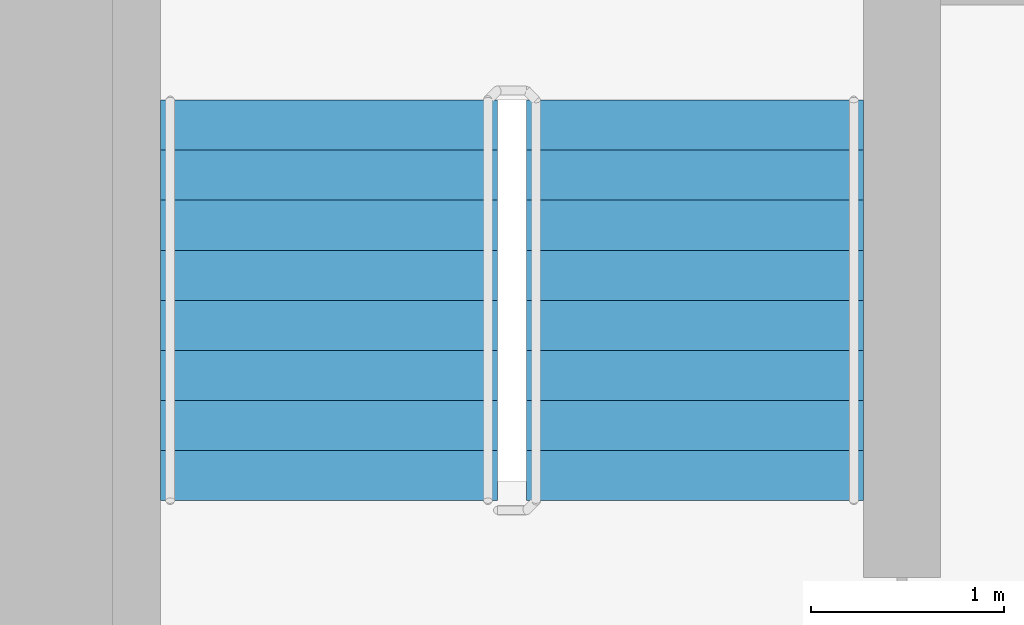
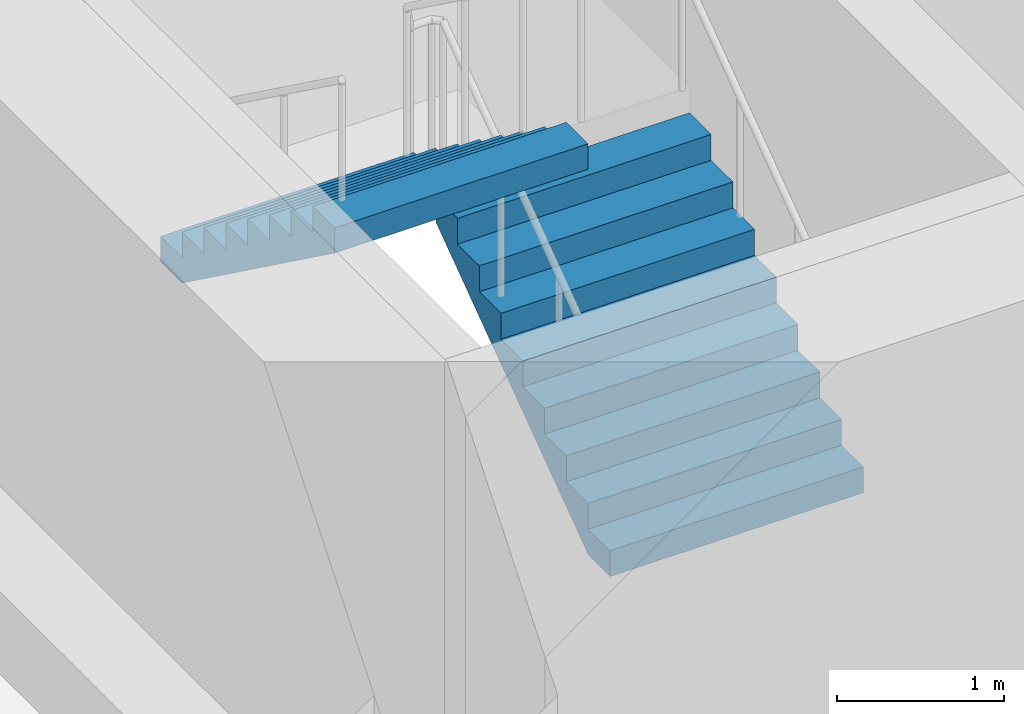
# One storey, part 18 of 22: 2 stair flights, 1 element without a shape of its own.
"""IFC4 building model written with IfcOpenShell, lengths in metres."""

from ifc_helpers import new_model, si_unit, direction, frame, origin, place, context, subcontext, project, spatial, faceted_brep, material, type_object, element, aggregate, save


model = new_model("IFC4")

# Units and contexts
model_context = context("Model", 3, precision=1e-05, world=origin(), true_north=direction((0.0, 1.0)))
body_context = subcontext(model_context, "Body", "Model", "MODEL_VIEW")
ifc_project = project(units=[si_unit("LENGTHUNIT", "METRE"), si_unit("AREAUNIT", "SQUARE_METRE"), si_unit("VOLUMEUNIT", "CUBIC_METRE"), si_unit("PLANEANGLEUNIT", "RADIAN"), si_unit("MASSUNIT", "GRAM", prefix="KILO")], contexts=[model_context])

# Site, building, storey
site_placement = place(None, origin())
site = spatial("IfcSite", under=ifc_project, at=site_placement, CompositionType="ELEMENT")
building_placement = place(site_placement, origin())
building = spatial("IfcBuilding", under=site, at=building_placement, Name="Ipe Terrace Towers", CompositionType="ELEMENT")
storey_placement = place(building_placement, frame((0.0, 0.0, 76.60009765625)))
storey = spatial("IfcBuildingStorey", under=building, at=storey_placement, Name="L20", CompositionType="ELEMENT", Elevation=76.60009765625)

# Stair, stair flights
ifc_material_1 = material(Name="Concrete C30/37", Category="concrete")
stair_type = type_object("IfcStairType", Name="Protected exit stair", PredefinedType="HALF_TURN_STAIR", material=ifc_material_1)
stair_placement = place(storey_placement, origin())
stair = element("IfcStair", 1, at=stair_placement, inside=storey, type_object=stair_type, Name="L20 Exit stair T2-C1", PredefinedType="HALF_TURN_STAIR")
ifc_material_2 = material(Name="Concrete C30/37", Category="concrete")
stair_flight_type = type_object("IfcStairFlightType", Name="Exit stair flight 1750", PredefinedType="STRAIGHT", material=ifc_material_2)
stair_flight_1_placement = place(storey_placement, frame((33.22509765625, 9.699951171875, 0.0), z_axis=(0.0, 0.0, 1.0), x_axis=(0.0, 1.0, 0.0)))
stair_flight_1 = element("IfcStairFlight", 2, at=stair_flight_1_placement, type_object=stair_flight_type, Name="T2-ST1 flight 1", NumberOfRisers=9, NumberOfTreads=8, PredefinedType="STRAIGHT", RiserHeight=0.188888889, TreadLength=0.26, context=body_context, shape_type="Brep", body=[
    faceted_brep([(0.255126953125, -0.875, 0.0), (2.080078125, -0.875, 1.325927734375), (2.080078125, -0.875, 1.51123046875), (1.820068359375, -0.875, 1.51123046875), (1.820068359375, -0.875, 1.322265625), (1.56005859375, -0.875, 1.322265625), (1.56005859375, -0.875, 1.13330078125), (1.300048828125, -0.875, 1.13330078125), (1.300048828125, -0.875, 0.9443359375), (1.0400390625, -0.875, 0.9443359375), (1.0400390625, -0.875, 0.755615234375), (0.780029296875, -0.875, 0.755615234375), (0.780029296875, -0.875, 0.566650390625), (0.52001953125, -0.875, 0.566650390625), (0.52001953125, -0.875, 0.377685546875), (0.260009765625, -0.875, 0.377685546875), (0.260009765625, -0.875, 0.18896484375), (0.0, -0.875, 0.18896484375), (0.0, -0.875, 0.0), (0.0, 0.875, 0.0), (0.0, 0.875, 0.18896484375), (0.260009765625, 0.875, 0.18896484375), (0.260009765625, 0.875, 0.377685546875), (0.52001953125, 0.875, 0.377685546875), (0.52001953125, 0.875, 0.566650390625), (0.780029296875, 0.875, 0.566650390625), (0.780029296875, 0.875, 0.755615234375), (1.0400390625, 0.875, 0.755615234375), (1.0400390625, 0.875, 0.9443359375), (1.300048828125, 0.875, 0.9443359375), (1.300048828125, 0.875, 1.13330078125), (1.56005859375, 0.875, 1.13330078125), (1.56005859375, 0.875, 1.322265625), (1.820068359375, 0.875, 1.322265625), (1.820068359375, 0.875, 1.51123046875), (2.080078125, 0.875, 1.51123046875), (2.080078125, 0.875, 1.325927734375), (0.255126953125, 0.875, 0.0), (0.0, -0.300048828125, 0.18896484375), (0.0, -0.1201171875, 0.18896484375), (0.0, -0.06005859375, 0.18896484375), (0.0, -0.030029296875, 0.18896484375), (0.0, -0.010009765625, 0.18896484375), (0.0, 0.0, 0.18896484375), (0.0, 0.010009765625, 0.18896484375), (0.0, 0.030029296875, 0.18896484375), (0.0, 0.06005859375, 0.18896484375), (0.0, 0.1201171875, 0.18896484375), (0.0, 0.300048828125, 0.18896484375), (0.0, 0.300048828125, 0.0), (0.0, 0.1201171875, 0.0), (0.0, 0.06005859375, 0.0), (0.0, 0.030029296875, 0.0), (0.0, 0.010009765625, 0.0), (0.0, 0.0, 0.0), (0.0, -0.010009765625, 0.0), (0.0, -0.030029296875, 0.0), (0.0, -0.06005859375, 0.0), (0.0, -0.1201171875, 0.0), (0.0, -0.300048828125, 0.0), (0.260009765625, -0.300048828125, 0.18896484375), (0.260009765625, -0.1201171875, 0.18896484375), (0.260009765625, -0.06005859375, 0.18896484375), (0.260009765625, -0.030029296875, 0.18896484375), (0.260009765625, -0.010009765625, 0.18896484375), (0.260009765625, 0.0, 0.18896484375), (0.260009765625, 0.010009765625, 0.18896484375), (0.260009765625, 0.030029296875, 0.18896484375), (0.260009765625, 0.06005859375, 0.18896484375), (0.260009765625, 0.1201171875, 0.18896484375), (0.260009765625, 0.300048828125, 0.18896484375), (0.260009765625, -0.300048828125, 0.377685546875), (0.260009765625, -0.1201171875, 0.377685546875), (0.260009765625, -0.06005859375, 0.377685546875), (0.260009765625, -0.030029296875, 0.377685546875), (0.260009765625, -0.010009765625, 0.377685546875), (0.260009765625, 0.0, 0.377685546875), (0.260009765625, 0.010009765625, 0.377685546875), (0.260009765625, 0.030029296875, 0.377685546875), (0.260009765625, 0.06005859375, 0.377685546875), (0.260009765625, 0.1201171875, 0.377685546875), (0.260009765625, 0.300048828125, 0.377685546875), (0.52001953125, -0.300048828125, 0.377685546875), (0.52001953125, -0.1201171875, 0.377685546875), (0.52001953125, -0.06005859375, 0.377685546875), (0.52001953125, -0.030029296875, 0.377685546875), (0.52001953125, -0.010009765625, 0.377685546875), (0.52001953125, 0.0, 0.377685546875), (0.52001953125, 0.010009765625, 0.377685546875), (0.52001953125, 0.030029296875, 0.377685546875), (0.52001953125, 0.06005859375, 0.377685546875), (0.52001953125, 0.1201171875, 0.377685546875), (0.52001953125, 0.300048828125, 0.377685546875), (0.52001953125, -0.300048828125, 0.566650390625), (0.52001953125, -0.1201171875, 0.566650390625), (0.52001953125, -0.06005859375, 0.566650390625), (0.52001953125, -0.030029296875, 0.566650390625), (0.52001953125, -0.010009765625, 0.566650390625), (0.52001953125, 0.0, 0.566650390625), (0.52001953125, 0.010009765625, 0.566650390625), (0.52001953125, 0.030029296875, 0.566650390625), (0.52001953125, 0.06005859375, 0.566650390625), (0.52001953125, 0.1201171875, 0.566650390625), (0.52001953125, 0.300048828125, 0.566650390625), (0.780029296875, -0.300048828125, 0.566650390625), (0.780029296875, -0.1201171875, 0.566650390625), (0.780029296875, -0.06005859375, 0.566650390625), (0.780029296875, -0.030029296875, 0.566650390625), (0.780029296875, -0.010009765625, 0.566650390625), (0.780029296875, 0.0, 0.566650390625), (0.780029296875, 0.010009765625, 0.566650390625), (0.780029296875, 0.030029296875, 0.566650390625), (0.780029296875, 0.06005859375, 0.566650390625), (0.780029296875, 0.1201171875, 0.566650390625), (0.780029296875, 0.300048828125, 0.566650390625), (0.780029296875, -0.300048828125, 0.755615234375), (0.780029296875, -0.1201171875, 0.755615234375), (0.780029296875, -0.06005859375, 0.755615234375), (0.780029296875, -0.030029296875, 0.755615234375), (0.780029296875, -0.010009765625, 0.755615234375), (0.780029296875, 0.0, 0.755615234375), (0.780029296875, 0.010009765625, 0.755615234375), (0.780029296875, 0.030029296875, 0.755615234375), (0.780029296875, 0.06005859375, 0.755615234375), (0.780029296875, 0.1201171875, 0.755615234375), (0.780029296875, 0.300048828125, 0.755615234375), (1.0400390625, -0.300048828125, 0.755615234375), (1.0400390625, -0.1201171875, 0.755615234375), (1.0400390625, -0.06005859375, 0.755615234375), (1.0400390625, -0.030029296875, 0.755615234375), (1.0400390625, -0.010009765625, 0.755615234375), (1.0400390625, 0.0, 0.755615234375), (1.0400390625, 0.010009765625, 0.755615234375), (1.0400390625, 0.030029296875, 0.755615234375), (1.0400390625, 0.06005859375, 0.755615234375), (1.0400390625, 0.1201171875, 0.755615234375), (1.0400390625, 0.300048828125, 0.755615234375), (1.0400390625, -0.300048828125, 0.9443359375), (1.0400390625, -0.1201171875, 0.9443359375), (1.0400390625, -0.06005859375, 0.9443359375), (1.0400390625, -0.030029296875, 0.9443359375), (1.0400390625, -0.010009765625, 0.9443359375), (1.0400390625, 0.0, 0.9443359375), (1.0400390625, 0.010009765625, 0.9443359375), (1.0400390625, 0.030029296875, 0.9443359375), (1.0400390625, 0.06005859375, 0.9443359375), (1.0400390625, 0.1201171875, 0.9443359375), (1.0400390625, 0.300048828125, 0.9443359375), (1.300048828125, -0.300048828125, 0.9443359375), (1.300048828125, -0.1201171875, 0.9443359375), (1.300048828125, -0.06005859375, 0.9443359375), (1.300048828125, -0.030029296875, 0.9443359375), (1.300048828125, -0.010009765625, 0.9443359375), (1.300048828125, 0.0, 0.9443359375), (1.300048828125, 0.010009765625, 0.9443359375), (1.300048828125, 0.030029296875, 0.9443359375), (1.300048828125, 0.06005859375, 0.9443359375), (1.300048828125, 0.1201171875, 0.9443359375), (1.300048828125, 0.300048828125, 0.9443359375), (1.300048828125, -0.300048828125, 1.13330078125), (1.300048828125, -0.1201171875, 1.13330078125), (1.300048828125, -0.06005859375, 1.13330078125), (1.300048828125, -0.030029296875, 1.13330078125), (1.300048828125, -0.010009765625, 1.13330078125), (1.300048828125, 0.0, 1.13330078125), (1.300048828125, 0.010009765625, 1.13330078125), (1.300048828125, 0.030029296875, 1.13330078125), (1.300048828125, 0.06005859375, 1.13330078125), (1.300048828125, 0.1201171875, 1.13330078125), (1.300048828125, 0.300048828125, 1.13330078125), (1.56005859375, -0.300048828125, 1.13330078125), (1.56005859375, -0.1201171875, 1.13330078125), (1.56005859375, -0.06005859375, 1.13330078125), (1.56005859375, -0.030029296875, 1.13330078125), (1.56005859375, -0.010009765625, 1.13330078125), (1.56005859375, 0.0, 1.13330078125), (1.56005859375, 0.010009765625, 1.13330078125), (1.56005859375, 0.030029296875, 1.13330078125), (1.56005859375, 0.06005859375, 1.13330078125), (1.56005859375, 0.1201171875, 1.13330078125), (1.56005859375, 0.300048828125, 1.13330078125), (1.56005859375, -0.300048828125, 1.322265625), (1.56005859375, -0.1201171875, 1.322265625), (1.56005859375, -0.06005859375, 1.322265625), (1.56005859375, -0.030029296875, 1.322265625), (1.56005859375, -0.010009765625, 1.322265625), (1.56005859375, 0.0, 1.322265625), (1.56005859375, 0.010009765625, 1.322265625), (1.56005859375, 0.030029296875, 1.322265625), (1.56005859375, 0.06005859375, 1.322265625), (1.56005859375, 0.1201171875, 1.322265625), (1.56005859375, 0.300048828125, 1.322265625), (1.820068359375, -0.300048828125, 1.322265625), (1.820068359375, -0.1201171875, 1.322265625), (1.820068359375, -0.06005859375, 1.322265625), (1.820068359375, -0.030029296875, 1.322265625), (1.820068359375, -0.010009765625, 1.322265625), (1.820068359375, 0.0, 1.322265625), (1.820068359375, 0.010009765625, 1.322265625), (1.820068359375, 0.030029296875, 1.322265625), (1.820068359375, 0.06005859375, 1.322265625), (1.820068359375, 0.1201171875, 1.322265625), (1.820068359375, 0.300048828125, 1.322265625), (1.820068359375, -0.300048828125, 1.51123046875), (1.820068359375, -0.1201171875, 1.51123046875), (1.820068359375, -0.06005859375, 1.51123046875), (1.820068359375, -0.030029296875, 1.51123046875), (1.820068359375, -0.010009765625, 1.51123046875), (1.820068359375, 0.0, 1.51123046875), (1.820068359375, 0.010009765625, 1.51123046875), (1.820068359375, 0.030029296875, 1.51123046875), (1.820068359375, 0.06005859375, 1.51123046875), (1.820068359375, 0.1201171875, 1.51123046875), (1.820068359375, 0.300048828125, 1.51123046875), (2.080078125, -0.300048828125, 1.51123046875), (2.080078125, -0.1201171875, 1.51123046875), (2.080078125, -0.06005859375, 1.51123046875), (2.080078125, -0.030029296875, 1.51123046875), (2.080078125, -0.010009765625, 1.51123046875), (2.080078125, 0.0, 1.51123046875), (2.080078125, 0.010009765625, 1.51123046875), (2.080078125, 0.030029296875, 1.51123046875), (2.080078125, 0.06005859375, 1.51123046875), (2.080078125, 0.1201171875, 1.51123046875), (2.080078125, 0.300048828125, 1.51123046875), (2.080078125, -0.300048828125, 1.325927734375), (2.080078125, -0.1201171875, 1.325927734375), (2.080078125, -0.06005859375, 1.325927734375), (2.080078125, -0.030029296875, 1.325927734375), (2.080078125, -0.010009765625, 1.325927734375), (2.080078125, 0.0, 1.325927734375), (2.080078125, 0.010009765625, 1.325927734375), (2.080078125, 0.030029296875, 1.325927734375), (2.080078125, 0.06005859375, 1.325927734375), (2.080078125, 0.1201171875, 1.325927734375), (2.080078125, 0.300048828125, 1.325927734375), (0.255126953125, -0.300048828125, 0.0), (0.255126953125, -0.1201171875, 0.0), (0.255126953125, -0.06005859375, 0.0), (0.255126953125, -0.030029296875, 0.0), (0.255126953125, -0.010009765625, 0.0), (0.255126953125, 0.0, 0.0), (0.255126953125, 0.010009765625, 0.0), (0.255126953125, 0.030029296875, 0.0), (0.255126953125, 0.06005859375, 0.0), (0.255126953125, 0.1201171875, 0.0), (0.255126953125, 0.300048828125, 0.0)], [[[0, 1, 2, 3, 4, 5, 6, 7, 8, 9, 10, 11, 12, 13, 14, 15, 16, 17, 18]], [[19, 20, 21, 22, 23, 24, 25, 26, 27, 28, 29, 30, 31, 32, 33, 34, 35, 36, 37]], [[17, 38, 39, 40, 41, 42, 43, 44, 45, 46, 47, 48, 20, 19, 49, 50, 51, 52, 53, 54, 55, 56, 57, 58, 59, 18]], [[16, 60, 61, 62, 63, 64, 65, 66, 67, 68, 69, 70, 21, 20, 48, 47, 46, 45, 44, 43, 42, 41, 40, 39, 38, 17]], [[15, 71, 72, 73, 74, 75, 76, 77, 78, 79, 80, 81, 22, 21, 70, 69, 68, 67, 66, 65, 64, 63, 62, 61, 60, 16]], [[14, 82, 83, 84, 85, 86, 87, 88, 89, 90, 91, 92, 23, 22, 81, 80, 79, 78, 77, 76, 75, 74, 73, 72, 71, 15]], [[13, 93, 94, 95, 96, 97, 98, 99, 100, 101, 102, 103, 24, 23, 92, 91, 90, 89, 88, 87, 86, 85, 84, 83, 82, 14]], [[12, 104, 105, 106, 107, 108, 109, 110, 111, 112, 113, 114, 25, 24, 103, 102, 101, 100, 99, 98, 97, 96, 95, 94, 93, 13]], [[11, 115, 116, 117, 118, 119, 120, 121, 122, 123, 124, 125, 26, 25, 114, 113, 112, 111, 110, 109, 108, 107, 106, 105, 104, 12]], [[10, 126, 127, 128, 129, 130, 131, 132, 133, 134, 135, 136, 27, 26, 125, 124, 123, 122, 121, 120, 119, 118, 117, 116, 115, 11]], [[9, 137, 138, 139, 140, 141, 142, 143, 144, 145, 146, 147, 28, 27, 136, 135, 134, 133, 132, 131, 130, 129, 128, 127, 126, 10]], [[8, 148, 149, 150, 151, 152, 153, 154, 155, 156, 157, 158, 29, 28, 147, 146, 145, 144, 143, 142, 141, 140, 139, 138, 137, 9]], [[7, 159, 160, 161, 162, 163, 164, 165, 166, 167, 168, 169, 30, 29, 158, 157, 156, 155, 154, 153, 152, 151, 150, 149, 148, 8]], [[6, 170, 171, 172, 173, 174, 175, 176, 177, 178, 179, 180, 31, 30, 169, 168, 167, 166, 165, 164, 163, 162, 161, 160, 159, 7]], [[5, 181, 182, 183, 184, 185, 186, 187, 188, 189, 190, 191, 32, 31, 180, 179, 178, 177, 176, 175, 174, 173, 172, 171, 170, 6]], [[4, 192, 193, 194, 195, 196, 197, 198, 199, 200, 201, 202, 33, 32, 191, 190, 189, 188, 187, 186, 185, 184, 183, 182, 181, 5]], [[3, 203, 204, 205, 206, 207, 208, 209, 210, 211, 212, 213, 34, 33, 202, 201, 200, 199, 198, 197, 196, 195, 194, 193, 192, 4]], [[2, 214, 215, 216, 217, 218, 219, 220, 221, 222, 223, 224, 35, 34, 213, 212, 211, 210, 209, 208, 207, 206, 205, 204, 203, 3]], [[1, 225, 226, 227, 228, 229, 230, 231, 232, 233, 234, 235, 36, 35, 224, 223, 222, 221, 220, 219, 218, 217, 216, 215, 214, 2]], [[0, 236, 237, 238, 239, 240, 241, 242, 243, 244, 245, 246, 37, 36, 235, 234, 233, 232, 231, 230, 229, 228, 227, 226, 225, 1]], [[18, 59, 58, 57, 56, 55, 54, 53, 52, 51, 50, 49, 19, 37, 246, 245, 244, 243, 242, 241, 240, 239, 238, 237, 236, 0]]]),
])
stair_flight_2_placement = place(storey_placement, frame((31.324951171875, 11.780029296875, 1.699951171875), z_axis=(0.0, 0.0, 1.0), x_axis=(0.0, -1.0, 0.0)))
stair_flight_2 = element("IfcStairFlight", 3, at=stair_flight_2_placement, type_object=stair_flight_type, Name="T2-ST1 flight 2", NumberOfRisers=9, NumberOfTreads=8, PredefinedType="STRAIGHT", RiserHeight=0.188888889, TreadLength=0.26, context=body_context, shape_type="Brep", body=[
    faceted_brep([(0.255126953125, -0.875, 0.0), (2.080078125, -0.875, 1.325927734375), (2.080078125, -0.875, 1.51123046875), (1.820068359375, -0.875, 1.51123046875), (1.820068359375, -0.875, 1.322265625), (1.56005859375, -0.875, 1.322265625), (1.56005859375, -0.875, 1.13330078125), (1.300048828125, -0.875, 1.13330078125), (1.300048828125, -0.875, 0.9443359375), (1.0400390625, -0.875, 0.9443359375), (1.0400390625, -0.875, 0.755615234375), (0.780029296875, -0.875, 0.755615234375), (0.780029296875, -0.875, 0.566650390625), (0.52001953125, -0.875, 0.566650390625), (0.52001953125, -0.875, 0.377685546875), (0.260009765625, -0.875, 0.377685546875), (0.260009765625, -0.875, 0.18896484375), (0.0, -0.875, 0.18896484375), (0.0, -0.875, 0.0), (0.0, 0.875, 0.0), (0.0, 0.875, 0.18896484375), (0.260009765625, 0.875, 0.18896484375), (0.260009765625, 0.875, 0.377685546875), (0.52001953125, 0.875, 0.377685546875), (0.52001953125, 0.875, 0.566650390625), (0.780029296875, 0.875, 0.566650390625), (0.780029296875, 0.875, 0.755615234375), (1.0400390625, 0.875, 0.755615234375), (1.0400390625, 0.875, 0.9443359375), (1.300048828125, 0.875, 0.9443359375), (1.300048828125, 0.875, 1.13330078125), (1.56005859375, 0.875, 1.13330078125), (1.56005859375, 0.875, 1.322265625), (1.820068359375, 0.875, 1.322265625), (1.820068359375, 0.875, 1.51123046875), (2.080078125, 0.875, 1.51123046875), (2.080078125, 0.875, 1.325927734375), (0.255126953125, 0.875, 0.0), (0.0, -0.300048828125, 0.18896484375), (0.0, -0.1201171875, 0.18896484375), (0.0, -0.06005859375, 0.18896484375), (0.0, -0.030029296875, 0.18896484375), (0.0, -0.010009765625, 0.18896484375), (0.0, 0.0, 0.18896484375), (0.0, 0.010009765625, 0.18896484375), (0.0, 0.030029296875, 0.18896484375), (0.0, 0.06005859375, 0.18896484375), (0.0, 0.1201171875, 0.18896484375), (0.0, 0.300048828125, 0.18896484375), (0.0, 0.300048828125, 0.0), (0.0, 0.1201171875, 0.0), (0.0, 0.06005859375, 0.0), (0.0, 0.030029296875, 0.0), (0.0, 0.010009765625, 0.0), (0.0, 0.0, 0.0), (0.0, -0.010009765625, 0.0), (0.0, -0.030029296875, 0.0), (0.0, -0.06005859375, 0.0), (0.0, -0.1201171875, 0.0), (0.0, -0.300048828125, 0.0), (0.260009765625, -0.300048828125, 0.18896484375), (0.260009765625, -0.1201171875, 0.18896484375), (0.260009765625, -0.06005859375, 0.18896484375), (0.260009765625, -0.030029296875, 0.18896484375), (0.260009765625, -0.010009765625, 0.18896484375), (0.260009765625, 0.0, 0.18896484375), (0.260009765625, 0.010009765625, 0.18896484375), (0.260009765625, 0.030029296875, 0.18896484375), (0.260009765625, 0.06005859375, 0.18896484375), (0.260009765625, 0.1201171875, 0.18896484375), (0.260009765625, 0.300048828125, 0.18896484375), (0.260009765625, -0.300048828125, 0.377685546875), (0.260009765625, -0.1201171875, 0.377685546875), (0.260009765625, -0.06005859375, 0.377685546875), (0.260009765625, -0.030029296875, 0.377685546875), (0.260009765625, -0.010009765625, 0.377685546875), (0.260009765625, 0.0, 0.377685546875), (0.260009765625, 0.010009765625, 0.377685546875), (0.260009765625, 0.030029296875, 0.377685546875), (0.260009765625, 0.06005859375, 0.377685546875), (0.260009765625, 0.1201171875, 0.377685546875), (0.260009765625, 0.300048828125, 0.377685546875), (0.52001953125, -0.300048828125, 0.377685546875), (0.52001953125, -0.1201171875, 0.377685546875), (0.52001953125, -0.06005859375, 0.377685546875), (0.52001953125, -0.030029296875, 0.377685546875), (0.52001953125, -0.010009765625, 0.377685546875), (0.52001953125, 0.0, 0.377685546875), (0.52001953125, 0.010009765625, 0.377685546875), (0.52001953125, 0.030029296875, 0.377685546875), (0.52001953125, 0.06005859375, 0.377685546875), (0.52001953125, 0.1201171875, 0.377685546875), (0.52001953125, 0.300048828125, 0.377685546875), (0.52001953125, -0.300048828125, 0.566650390625), (0.52001953125, -0.1201171875, 0.566650390625), (0.52001953125, -0.06005859375, 0.566650390625), (0.52001953125, -0.030029296875, 0.566650390625), (0.52001953125, -0.010009765625, 0.566650390625), (0.52001953125, 0.0, 0.566650390625), (0.52001953125, 0.010009765625, 0.566650390625), (0.52001953125, 0.030029296875, 0.566650390625), (0.52001953125, 0.06005859375, 0.566650390625), (0.52001953125, 0.1201171875, 0.566650390625), (0.52001953125, 0.300048828125, 0.566650390625), (0.780029296875, -0.300048828125, 0.566650390625), (0.780029296875, -0.1201171875, 0.566650390625), (0.780029296875, -0.06005859375, 0.566650390625), (0.780029296875, -0.030029296875, 0.566650390625), (0.780029296875, -0.010009765625, 0.566650390625), (0.780029296875, 0.0, 0.566650390625), (0.780029296875, 0.010009765625, 0.566650390625), (0.780029296875, 0.030029296875, 0.566650390625), (0.780029296875, 0.06005859375, 0.566650390625), (0.780029296875, 0.1201171875, 0.566650390625), (0.780029296875, 0.300048828125, 0.566650390625), (0.780029296875, -0.300048828125, 0.755615234375), (0.780029296875, -0.1201171875, 0.755615234375), (0.780029296875, -0.06005859375, 0.755615234375), (0.780029296875, -0.030029296875, 0.755615234375), (0.780029296875, -0.010009765625, 0.755615234375), (0.780029296875, 0.0, 0.755615234375), (0.780029296875, 0.010009765625, 0.755615234375), (0.780029296875, 0.030029296875, 0.755615234375), (0.780029296875, 0.06005859375, 0.755615234375), (0.780029296875, 0.1201171875, 0.755615234375), (0.780029296875, 0.300048828125, 0.755615234375), (1.0400390625, -0.300048828125, 0.755615234375), (1.0400390625, -0.1201171875, 0.755615234375), (1.0400390625, -0.06005859375, 0.755615234375), (1.0400390625, -0.030029296875, 0.755615234375), (1.0400390625, -0.010009765625, 0.755615234375), (1.0400390625, 0.0, 0.755615234375), (1.0400390625, 0.010009765625, 0.755615234375), (1.0400390625, 0.030029296875, 0.755615234375), (1.0400390625, 0.06005859375, 0.755615234375), (1.0400390625, 0.1201171875, 0.755615234375), (1.0400390625, 0.300048828125, 0.755615234375), (1.0400390625, -0.300048828125, 0.9443359375), (1.0400390625, -0.1201171875, 0.9443359375), (1.0400390625, -0.06005859375, 0.9443359375), (1.0400390625, -0.030029296875, 0.9443359375), (1.0400390625, -0.010009765625, 0.9443359375), (1.0400390625, 0.0, 0.9443359375), (1.0400390625, 0.010009765625, 0.9443359375), (1.0400390625, 0.030029296875, 0.9443359375), (1.0400390625, 0.06005859375, 0.9443359375), (1.0400390625, 0.1201171875, 0.9443359375), (1.0400390625, 0.300048828125, 0.9443359375), (1.300048828125, -0.300048828125, 0.9443359375), (1.300048828125, -0.1201171875, 0.9443359375), (1.300048828125, -0.06005859375, 0.9443359375), (1.300048828125, -0.030029296875, 0.9443359375), (1.300048828125, -0.010009765625, 0.9443359375), (1.300048828125, 0.0, 0.9443359375), (1.300048828125, 0.010009765625, 0.9443359375), (1.300048828125, 0.030029296875, 0.9443359375), (1.300048828125, 0.06005859375, 0.9443359375), (1.300048828125, 0.1201171875, 0.9443359375), (1.300048828125, 0.300048828125, 0.9443359375), (1.300048828125, -0.300048828125, 1.13330078125), (1.300048828125, -0.1201171875, 1.13330078125), (1.300048828125, -0.06005859375, 1.13330078125), (1.300048828125, -0.030029296875, 1.13330078125), (1.300048828125, -0.010009765625, 1.13330078125), (1.300048828125, 0.0, 1.13330078125), (1.300048828125, 0.010009765625, 1.13330078125), (1.300048828125, 0.030029296875, 1.13330078125), (1.300048828125, 0.06005859375, 1.13330078125), (1.300048828125, 0.1201171875, 1.13330078125), (1.300048828125, 0.300048828125, 1.13330078125), (1.56005859375, -0.300048828125, 1.13330078125), (1.56005859375, -0.1201171875, 1.13330078125), (1.56005859375, -0.06005859375, 1.13330078125), (1.56005859375, -0.030029296875, 1.13330078125), (1.56005859375, -0.010009765625, 1.13330078125), (1.56005859375, 0.0, 1.13330078125), (1.56005859375, 0.010009765625, 1.13330078125), (1.56005859375, 0.030029296875, 1.13330078125), (1.56005859375, 0.06005859375, 1.13330078125), (1.56005859375, 0.1201171875, 1.13330078125), (1.56005859375, 0.300048828125, 1.13330078125), (1.56005859375, -0.300048828125, 1.322265625), (1.56005859375, -0.1201171875, 1.322265625), (1.56005859375, -0.06005859375, 1.322265625), (1.56005859375, -0.030029296875, 1.322265625), (1.56005859375, -0.010009765625, 1.322265625), (1.56005859375, 0.0, 1.322265625), (1.56005859375, 0.010009765625, 1.322265625), (1.56005859375, 0.030029296875, 1.322265625), (1.56005859375, 0.06005859375, 1.322265625), (1.56005859375, 0.1201171875, 1.322265625), (1.56005859375, 0.300048828125, 1.322265625), (1.820068359375, -0.300048828125, 1.322265625), (1.820068359375, -0.1201171875, 1.322265625), (1.820068359375, -0.06005859375, 1.322265625), (1.820068359375, -0.030029296875, 1.322265625), (1.820068359375, -0.010009765625, 1.322265625), (1.820068359375, 0.0, 1.322265625), (1.820068359375, 0.010009765625, 1.322265625), (1.820068359375, 0.030029296875, 1.322265625), (1.820068359375, 0.06005859375, 1.322265625), (1.820068359375, 0.1201171875, 1.322265625), (1.820068359375, 0.300048828125, 1.322265625), (1.820068359375, -0.300048828125, 1.51123046875), (1.820068359375, -0.1201171875, 1.51123046875), (1.820068359375, -0.06005859375, 1.51123046875), (1.820068359375, -0.030029296875, 1.51123046875), (1.820068359375, -0.010009765625, 1.51123046875), (1.820068359375, 0.0, 1.51123046875), (1.820068359375, 0.010009765625, 1.51123046875), (1.820068359375, 0.030029296875, 1.51123046875), (1.820068359375, 0.06005859375, 1.51123046875), (1.820068359375, 0.1201171875, 1.51123046875), (1.820068359375, 0.300048828125, 1.51123046875), (2.080078125, -0.300048828125, 1.51123046875), (2.080078125, -0.1201171875, 1.51123046875), (2.080078125, -0.06005859375, 1.51123046875), (2.080078125, -0.030029296875, 1.51123046875), (2.080078125, -0.010009765625, 1.51123046875), (2.080078125, 0.0, 1.51123046875), (2.080078125, 0.010009765625, 1.51123046875), (2.080078125, 0.030029296875, 1.51123046875), (2.080078125, 0.06005859375, 1.51123046875), (2.080078125, 0.1201171875, 1.51123046875), (2.080078125, 0.300048828125, 1.51123046875), (2.080078125, -0.300048828125, 1.325927734375), (2.080078125, -0.1201171875, 1.325927734375), (2.080078125, -0.06005859375, 1.325927734375), (2.080078125, -0.030029296875, 1.325927734375), (2.080078125, -0.010009765625, 1.325927734375), (2.080078125, 0.0, 1.325927734375), (2.080078125, 0.010009765625, 1.325927734375), (2.080078125, 0.030029296875, 1.325927734375), (2.080078125, 0.06005859375, 1.325927734375), (2.080078125, 0.1201171875, 1.325927734375), (2.080078125, 0.300048828125, 1.325927734375), (0.255126953125, -0.300048828125, 0.0), (0.255126953125, -0.1201171875, 0.0), (0.255126953125, -0.06005859375, 0.0), (0.255126953125, -0.030029296875, 0.0), (0.255126953125, -0.010009765625, 0.0), (0.255126953125, 0.0, 0.0), (0.255126953125, 0.010009765625, 0.0), (0.255126953125, 0.030029296875, 0.0), (0.255126953125, 0.06005859375, 0.0), (0.255126953125, 0.1201171875, 0.0), (0.255126953125, 0.300048828125, 0.0)], [[[0, 1, 2, 3, 4, 5, 6, 7, 8, 9, 10, 11, 12, 13, 14, 15, 16, 17, 18]], [[19, 20, 21, 22, 23, 24, 25, 26, 27, 28, 29, 30, 31, 32, 33, 34, 35, 36, 37]], [[17, 38, 39, 40, 41, 42, 43, 44, 45, 46, 47, 48, 20, 19, 49, 50, 51, 52, 53, 54, 55, 56, 57, 58, 59, 18]], [[16, 60, 61, 62, 63, 64, 65, 66, 67, 68, 69, 70, 21, 20, 48, 47, 46, 45, 44, 43, 42, 41, 40, 39, 38, 17]], [[15, 71, 72, 73, 74, 75, 76, 77, 78, 79, 80, 81, 22, 21, 70, 69, 68, 67, 66, 65, 64, 63, 62, 61, 60, 16]], [[14, 82, 83, 84, 85, 86, 87, 88, 89, 90, 91, 92, 23, 22, 81, 80, 79, 78, 77, 76, 75, 74, 73, 72, 71, 15]], [[13, 93, 94, 95, 96, 97, 98, 99, 100, 101, 102, 103, 24, 23, 92, 91, 90, 89, 88, 87, 86, 85, 84, 83, 82, 14]], [[12, 104, 105, 106, 107, 108, 109, 110, 111, 112, 113, 114, 25, 24, 103, 102, 101, 100, 99, 98, 97, 96, 95, 94, 93, 13]], [[11, 115, 116, 117, 118, 119, 120, 121, 122, 123, 124, 125, 26, 25, 114, 113, 112, 111, 110, 109, 108, 107, 106, 105, 104, 12]], [[10, 126, 127, 128, 129, 130, 131, 132, 133, 134, 135, 136, 27, 26, 125, 124, 123, 122, 121, 120, 119, 118, 117, 116, 115, 11]], [[9, 137, 138, 139, 140, 141, 142, 143, 144, 145, 146, 147, 28, 27, 136, 135, 134, 133, 132, 131, 130, 129, 128, 127, 126, 10]], [[8, 148, 149, 150, 151, 152, 153, 154, 155, 156, 157, 158, 29, 28, 147, 146, 145, 144, 143, 142, 141, 140, 139, 138, 137, 9]], [[7, 159, 160, 161, 162, 163, 164, 165, 166, 167, 168, 169, 30, 29, 158, 157, 156, 155, 154, 153, 152, 151, 150, 149, 148, 8]], [[6, 170, 171, 172, 173, 174, 175, 176, 177, 178, 179, 180, 31, 30, 169, 168, 167, 166, 165, 164, 163, 162, 161, 160, 159, 7]], [[5, 181, 182, 183, 184, 185, 186, 187, 188, 189, 190, 191, 32, 31, 180, 179, 178, 177, 176, 175, 174, 173, 172, 171, 170, 6]], [[4, 192, 193, 194, 195, 196, 197, 198, 199, 200, 201, 202, 33, 32, 191, 190, 189, 188, 187, 186, 185, 184, 183, 182, 181, 5]], [[3, 203, 204, 205, 206, 207, 208, 209, 210, 211, 212, 213, 34, 33, 202, 201, 200, 199, 198, 197, 196, 195, 194, 193, 192, 4]], [[2, 214, 215, 216, 217, 218, 219, 220, 221, 222, 223, 224, 35, 34, 213, 212, 211, 210, 209, 208, 207, 206, 205, 204, 203, 3]], [[1, 225, 226, 227, 228, 229, 230, 231, 232, 233, 234, 235, 36, 35, 224, 223, 222, 221, 220, 219, 218, 217, 216, 215, 214, 2]], [[0, 236, 237, 238, 239, 240, 241, 242, 243, 244, 245, 246, 37, 36, 235, 234, 233, 232, 231, 230, 229, 228, 227, 226, 225, 1]], [[18, 59, 58, 57, 56, 55, 54, 53, 52, 51, 50, 49, 19, 37, 246, 245, 244, 243, 242, 241, 240, 239, 238, 237, 236, 0]]]),
])
aggregate(stair, [stair_flight_1, stair_flight_2])

save(model, "model.ifc")
